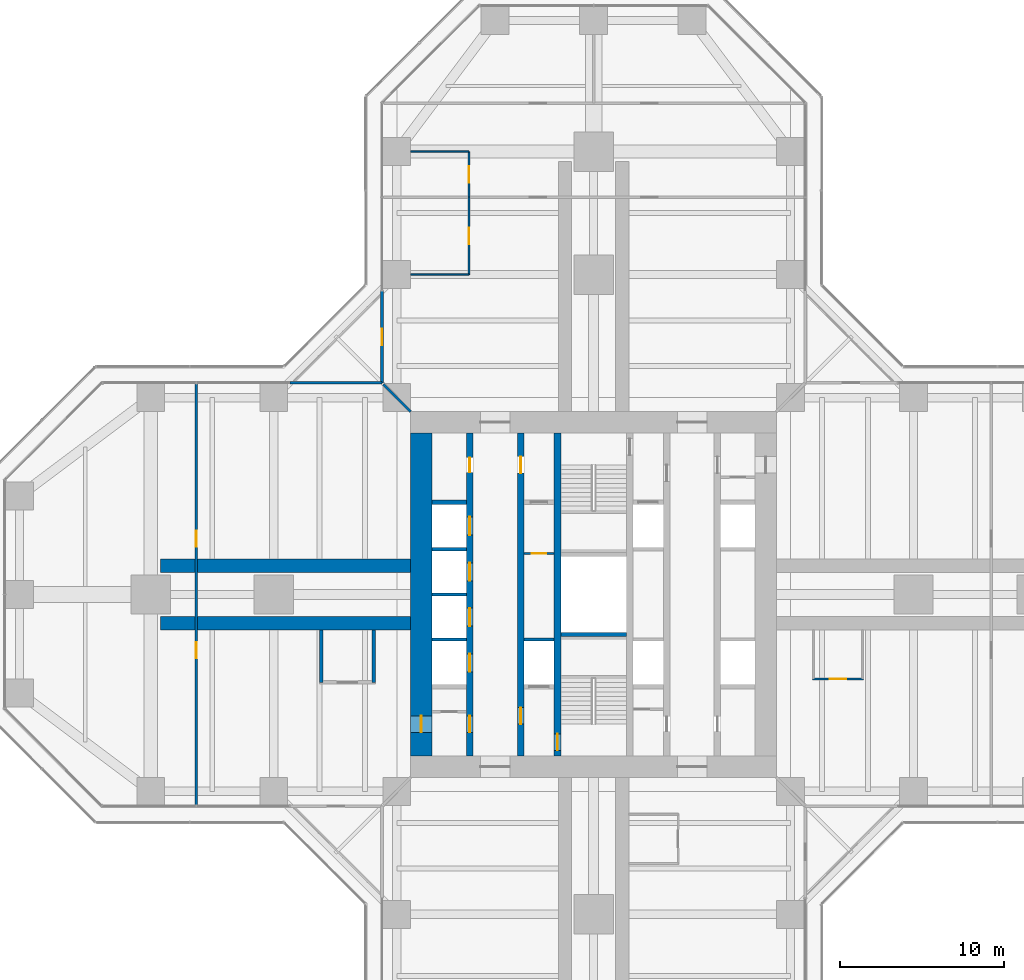
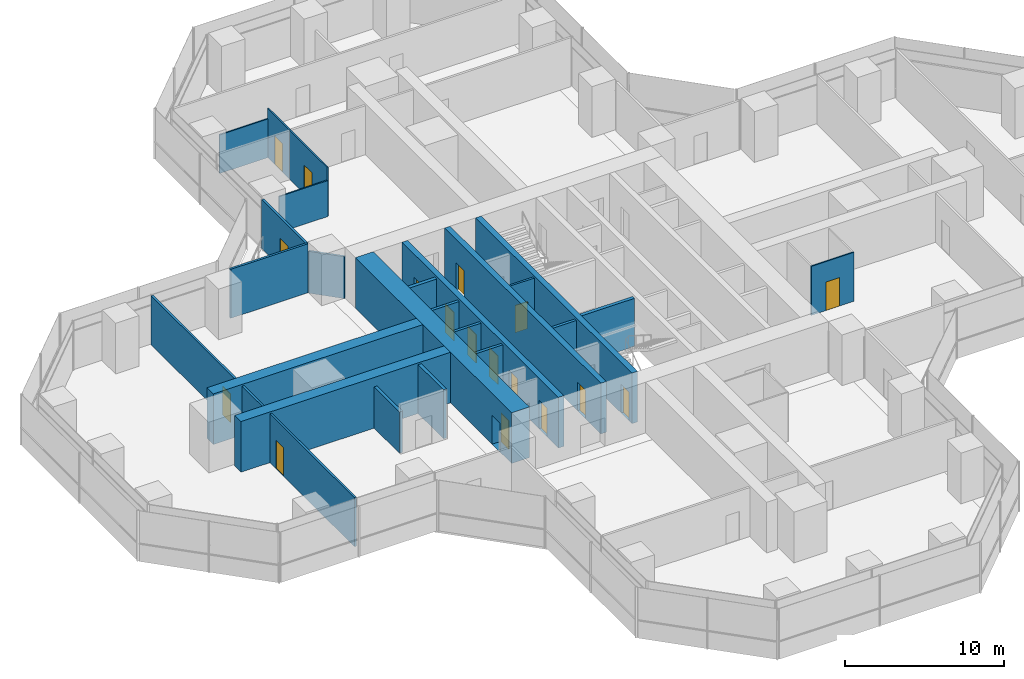
# One storey, part 18 of 22: 24 walls, 17 doors, 17 openings.
"""IFC4 building model written with IfcOpenShell, lengths in metres."""

from ifc_helpers import new_model, si_unit, direction, frame, frame_2d, origin, place, context, subcontext, project, spatial, rectangle, extrude, material, layer, layer_set, type_object, element, fill, save


model = new_model("IFC4")

# Units and contexts
model_context = context("Model", 3, precision=1e-05, world=origin(), true_north=direction((0.0, 1.0)))
body_context = subcontext(model_context, "Body", "Model", "MODEL_VIEW")
ifc_project = project(units=[si_unit("LENGTHUNIT", "METRE"), si_unit("AREAUNIT", "SQUARE_METRE"), si_unit("VOLUMEUNIT", "CUBIC_METRE"), si_unit("PLANEANGLEUNIT", "RADIAN"), si_unit("MASSUNIT", "GRAM", prefix="KILO")], contexts=[model_context])

# Site, building, storey
site_placement = place(None, origin())
site = spatial("IfcSite", under=ifc_project, at=site_placement, CompositionType="ELEMENT")
building_placement = place(site_placement, origin())
building = spatial("IfcBuilding", under=site, at=building_placement, Name="Mizan Broadcast Tower", CompositionType="ELEMENT")
storey_placement = place(building_placement, frame((0.0, 0.0, 105.89990234375)))
storey = spatial("IfcBuildingStorey", under=building, at=storey_placement, Name="L23", CompositionType="ELEMENT", Elevation=105.89990234375)

# Wall, openings, doors
ifc_material_1 = material(Name="Concrete C70/85", Category="concrete")
ifc_layer_1 = layer(ifc_material_1, 0.39990234375)
ifc_layer_set_1 = layer_set([ifc_layer_1], Name="Concrete C70/85")
wall_type_1 = type_object("IfcWallType", Name="CORE INTERNAL WALL 400", PredefinedType="SHEAR", material=ifc_layer_set_1)
wall_1_placement = place(storey_placement, frame((-7.550048828125, -9.85009765625, 0.0), z_axis=(0.0, 0.0, 1.0), x_axis=(0.0, 1.0, 0.0)))
wall_1 = element("IfcWall", 1, at=wall_1_placement, inside=storey, type_object=wall_type_1, Name="Core wall CORE/XW1", PredefinedType="SHEAR", context=body_context, shape_type="SweptSolid", body=[
    extrude(rectangle(XDim=19.7001953125, YDim=0.39990234375, at=frame_2d((9.85009765625, 0.0))), origin(), (0.0, 0.0, 1.0), 3.900146484375),
])
opening_1_placement = place(wall_1_placement, frame((1.449951171875, 0.0, 0.0)))
opening_1 = element("IfcOpeningElement", 2, at=opening_1_placement, cuts=wall_1, Name="Opening D10F", PredefinedType="OPENING", context=body_context, shape_type="SweptSolid", body=[
    extrude(rectangle(XDim=1.0, YDim=2.199951171875, at=frame_2d((0.5, 1.10009765625))), frame((0.0, 0.2099609375, 0.0), z_axis=(0.0, -1.0, 0.0), x_axis=(1.0, 0.0, 0.0)), (0.0, 0.0, 1.0), 0.419921875),
])
opening_2_placement = place(wall_1_placement, frame((17.300048828125, 0.0, 0.0)))
opening_2 = element("IfcOpeningElement", 3, at=opening_2_placement, cuts=wall_1, Name="Opening D09", PredefinedType="OPENING", context=body_context, shape_type="SweptSolid", body=[
    extrude(rectangle(XDim=0.89990234375, YDim=2.10009765625, at=frame_2d((0.449951171875, 1.050048828125))), frame((0.0, 0.2099609375, 0.0), z_axis=(0.0, -1.0, 0.0), x_axis=(1.0, 0.0, 0.0)), (0.0, 0.0, 1.0), 0.419921875),
])
opening_3_placement = place(wall_1_placement, frame((5.125, 0.0, 0.0)))
opening_3 = element("IfcOpeningElement", 4, at=opening_3_placement, cuts=wall_1, Name="Opening LD", PredefinedType="OPENING", context=body_context, shape_type="SweptSolid", body=[
    extrude(rectangle(XDim=1.10009765625, YDim=2.199951171875, at=frame_2d((0.550048828125, 1.10009765625))), frame((0.0, 0.2099609375, 0.0), z_axis=(0.0, -1.0, 0.0), x_axis=(1.0, 0.0, 0.0)), (0.0, 0.0, 1.0), 0.419921875),
])
opening_4_placement = place(wall_1_placement, frame((7.925048828125, 0.0, 0.0)))
opening_4 = element("IfcOpeningElement", 5, at=opening_4_placement, cuts=wall_1, Name="Opening LD", PredefinedType="OPENING", context=body_context, shape_type="SweptSolid", body=[
    extrude(rectangle(XDim=1.10009765625, YDim=2.199951171875, at=frame_2d((0.550048828125, 1.10009765625))), frame((0.0, 0.2099609375, 0.0), z_axis=(0.0, -1.0, 0.0), x_axis=(1.0, 0.0, 0.0)), (0.0, 0.0, 1.0), 0.419921875),
])
opening_5_placement = place(wall_1_placement, frame((10.675048828125, 0.0, 0.0)))
opening_5 = element("IfcOpeningElement", 6, at=opening_5_placement, cuts=wall_1, Name="Opening LD", PredefinedType="OPENING", context=body_context, shape_type="SweptSolid", body=[
    extrude(rectangle(XDim=1.10009765625, YDim=2.199951171875, at=frame_2d((0.550048828125, 1.10009765625))), frame((0.0, 0.2099609375, 0.0), z_axis=(0.0, -1.0, 0.0), x_axis=(1.0, 0.0, 0.0)), (0.0, 0.0, 1.0), 0.419921875),
])
opening_6_placement = place(wall_1_placement, frame((13.47509765625, 0.0, 0.0)))
opening_6 = element("IfcOpeningElement", 7, at=opening_6_placement, cuts=wall_1, Name="Opening LD", PredefinedType="OPENING", context=body_context, shape_type="SweptSolid", body=[
    extrude(rectangle(XDim=1.10009765625, YDim=2.199951171875, at=frame_2d((0.550048828125, 1.10009765625))), frame((0.0, 0.2099609375, 0.0), z_axis=(0.0, -1.0, 0.0), x_axis=(1.0, 0.0, 0.0)), (0.0, 0.0, 1.0), 0.419921875),
])
ifc_material_2 = material(Name="Steel door leaf in steel frame", Category="steel")
door_type_1 = type_object("IfcDoorType", Name="FIRE DOOR 1000 FD90", OperationType="SINGLE_SWING_LEFT", PredefinedType="DOOR", material=ifc_material_2)
door_1_placement = place(opening_1_placement, origin())
door_1 = element("IfcDoor", 8, at=door_1_placement, inside=storey, type_object=door_type_1, Name="West core passage door", OperationType="SINGLE_SWING_LEFT", OverallHeight=2.199951171875, OverallWidth=1.0, PredefinedType="DOOR", context=body_context, shape_type="SweptSolid", body=[
    extrude(rectangle(XDim=1.0, YDim=2.199951171875, at=frame_2d((0.5, 1.10009765625))), frame((0.0, 0.02490234375, 0.0), z_axis=(0.0, -1.0, 0.0), x_axis=(1.0, 0.0, 0.0)), (0.0, 0.0, 1.0), 0.050048828125),
])
fill(opening_1, door_1)
ifc_material_3 = material(Name="Steel door leaf in steel frame", Category="steel")
door_type_2 = type_object("IfcDoorType", Name="LIFT LANDING DOOR 1100", OperationType="SLIDING_TO_LEFT", PredefinedType="DOOR", material=ifc_material_3)
door_2_placement = place(opening_3_placement, origin())
door_2 = element("IfcDoor", 9, at=door_2_placement, inside=storey, type_object=door_type_2, Name="Landing door LA1", OperationType="SLIDING_TO_LEFT", OverallHeight=2.199951171875, OverallWidth=1.10009765625, PredefinedType="DOOR", context=body_context, shape_type="SweptSolid", body=[
    extrude(rectangle(XDim=1.10009765625, YDim=2.199951171875, at=frame_2d((0.550048828125, 1.10009765625))), frame((0.0, 0.02490234375, 0.0), z_axis=(0.0, -1.0, 0.0), x_axis=(1.0, 0.0, 0.0)), (0.0, 0.0, 1.0), 0.050048828125),
])
fill(opening_3, door_2)
door_3_placement = place(opening_4_placement, origin())
door_3 = element("IfcDoor", 10, at=door_3_placement, inside=storey, type_object=door_type_2, Name="Landing door LA2", OperationType="SLIDING_TO_LEFT", OverallHeight=2.199951171875, OverallWidth=1.10009765625, PredefinedType="DOOR", context=body_context, shape_type="SweptSolid", body=[
    extrude(rectangle(XDim=1.10009765625, YDim=2.199951171875, at=frame_2d((0.550048828125, 1.10009765625))), frame((0.0, 0.02490234375, 0.0), z_axis=(0.0, -1.0, 0.0), x_axis=(1.0, 0.0, 0.0)), (0.0, 0.0, 1.0), 0.050048828125),
])
fill(opening_4, door_3)
door_4_placement = place(opening_5_placement, origin())
door_4 = element("IfcDoor", 11, at=door_4_placement, inside=storey, type_object=door_type_2, Name="Landing door LA3", OperationType="SLIDING_TO_LEFT", OverallHeight=2.199951171875, OverallWidth=1.10009765625, PredefinedType="DOOR", context=body_context, shape_type="SweptSolid", body=[
    extrude(rectangle(XDim=1.10009765625, YDim=2.199951171875, at=frame_2d((0.550048828125, 1.10009765625))), frame((0.0, 0.02490234375, 0.0), z_axis=(0.0, -1.0, 0.0), x_axis=(1.0, 0.0, 0.0)), (0.0, 0.0, 1.0), 0.050048828125),
])
fill(opening_5, door_4)
door_5_placement = place(opening_6_placement, origin())
door_5 = element("IfcDoor", 12, at=door_5_placement, inside=storey, type_object=door_type_2, Name="Landing door LA4", OperationType="SLIDING_TO_LEFT", OverallHeight=2.199951171875, OverallWidth=1.10009765625, PredefinedType="DOOR", context=body_context, shape_type="SweptSolid", body=[
    extrude(rectangle(XDim=1.10009765625, YDim=2.199951171875, at=frame_2d((0.550048828125, 1.10009765625))), frame((0.0, 0.02490234375, 0.0), z_axis=(0.0, -1.0, 0.0), x_axis=(1.0, 0.0, 0.0)), (0.0, 0.0, 1.0), 0.050048828125),
])
fill(opening_6, door_5)
ifc_material_4 = material(Name="Timber door leaf in aluminium frame", Category="wood")
door_type_3 = type_object("IfcDoorType", Name="TOILET DOOR 900", OperationType="SINGLE_SWING_LEFT", PredefinedType="DOOR", material=ifc_material_4)
door_6_placement = place(opening_2_placement, origin())
door_6 = element("IfcDoor", 13, at=door_6_placement, inside=storey, type_object=door_type_3, Name="Male WC door", OperationType="SINGLE_SWING_RIGHT", OverallHeight=2.10009765625, OverallWidth=0.89990234375, PredefinedType="DOOR", context=body_context, shape_type="SweptSolid", body=[
    extrude(rectangle(XDim=0.89990234375, YDim=2.10009765625, at=frame_2d((0.449951171875, 1.050048828125))), frame((0.0, 0.02490234375, 0.0), z_axis=(0.0, -1.0, 0.0), x_axis=(1.0, 0.0, 0.0)), (0.0, 0.0, 1.0), 0.050048828125),
])
fill(opening_2, door_6)

wall_2_placement = place(storey_placement, frame((-4.449951171875, -9.85009765625, 0.0), z_axis=(0.0, 0.0, 1.0), x_axis=(0.0, 1.0, 0.0)))
wall_2 = element("IfcWall", 14, at=wall_2_placement, inside=storey, type_object=wall_type_1, Name="Core wall CORE/XWH", PredefinedType="SHEAR", context=body_context, shape_type="SweptSolid", body=[
    extrude(rectangle(XDim=19.7001953125, YDim=0.39990234375, at=frame_2d((9.85009765625, 0.0))), origin(), (0.0, 0.0, 1.0), 3.900146484375),
])
opening_7_placement = place(wall_2_placement, frame((1.949951171875, 0.0, 0.0)))
opening_7 = element("IfcOpeningElement", 15, at=opening_7_placement, cuts=wall_2, Name="Opening D10F", PredefinedType="OPENING", context=body_context, shape_type="SweptSolid", body=[
    extrude(rectangle(XDim=1.0, YDim=2.199951171875, at=frame_2d((0.5, 1.10009765625))), frame((0.0, 0.2099609375, 0.0), z_axis=(0.0, -1.0, 0.0), x_axis=(1.0, 0.0, 0.0)), (0.0, 0.0, 1.0), 0.419921875),
])
opening_8_placement = place(wall_2_placement, frame((17.25, 0.0, 0.0)))
opening_8 = element("IfcOpeningElement", 16, at=opening_8_placement, cuts=wall_2, Name="Opening D10A", PredefinedType="OPENING", context=body_context, shape_type="SweptSolid", body=[
    extrude(rectangle(XDim=1.0, YDim=2.10009765625, at=frame_2d((0.5, 1.050048828125))), frame((0.0, 0.2099609375, 0.0), z_axis=(0.0, -1.0, 0.0), x_axis=(1.0, 0.0, 0.0)), (0.0, 0.0, 1.0), 0.419921875),
])
ifc_material_5 = material(Name="Timber door leaf in aluminium frame", Category="wood")
door_type_4 = type_object("IfcDoorType", Name="ACCESSIBLE WC DOOR 1000", OperationType="SLIDING_TO_LEFT", PredefinedType="DOOR", material=ifc_material_5)
door_7_placement = place(opening_8_placement, origin())
door_7 = element("IfcDoor", 17, at=door_7_placement, inside=storey, type_object=door_type_4, Name="Accessible WC door", OperationType="SLIDING_TO_LEFT", OverallHeight=2.10009765625, OverallWidth=1.0, PredefinedType="DOOR", context=body_context, shape_type="SweptSolid", body=[
    extrude(rectangle(XDim=1.0, YDim=2.10009765625, at=frame_2d((0.5, 1.050048828125))), frame((0.0, 0.02490234375, 0.0), z_axis=(0.0, -1.0, 0.0), x_axis=(1.0, 0.0, 0.0)), (0.0, 0.0, 1.0), 0.050048828125),
])
fill(opening_8, door_7)
door_8_placement = place(opening_7_placement, origin())
door_8 = element("IfcDoor", 18, at=door_8_placement, inside=storey, type_object=door_type_1, Name="Firefighting lobby A door", OperationType="SINGLE_SWING_LEFT", OverallHeight=2.199951171875, OverallWidth=1.0, PredefinedType="DOOR", context=body_context, shape_type="SweptSolid", body=[
    extrude(rectangle(XDim=1.0, YDim=2.199951171875, at=frame_2d((0.5, 1.10009765625))), frame((0.0, 0.02490234375, 0.0), z_axis=(0.0, -1.0, 0.0), x_axis=(1.0, 0.0, 0.0)), (0.0, 0.0, 1.0), 0.050048828125),
])
fill(opening_7, door_8)

# Wall, opening, door
wall_3_placement = place(storey_placement, frame((-2.199951171875, -9.85009765625, 0.0), z_axis=(0.0, 0.0, 1.0), x_axis=(0.0, 1.0, 0.0)))
wall_3 = element("IfcWall", 19, at=wall_3_placement, inside=storey, type_object=wall_type_1, Name="Core wall CORE/XW2", PredefinedType="SHEAR", context=body_context, shape_type="SweptSolid", body=[
    extrude(rectangle(XDim=19.7001953125, YDim=0.39990234375, at=frame_2d((9.85009765625, 0.0))), origin(), (0.0, 0.0, 1.0), 3.900146484375),
])
opening_9_placement = place(wall_3_placement, frame((0.35009765625, 0.0, 0.0)))
opening_9 = element("IfcOpeningElement", 20, at=opening_9_placement, cuts=wall_3, Name="Opening D10S", PredefinedType="OPENING", context=body_context, shape_type="SweptSolid", body=[
    extrude(rectangle(XDim=1.0, YDim=2.199951171875, at=frame_2d((0.5, 1.10009765625))), frame((0.0, 0.2099609375, 0.0), z_axis=(0.0, -1.0, 0.0), x_axis=(1.0, 0.0, 0.0)), (0.0, 0.0, 1.0), 0.419921875),
])
ifc_material_6 = material(Name="Steel door leaf in steel frame", Category="steel")
door_type_5 = type_object("IfcDoorType", Name="STAIR DOOR 1000 FD90S", OperationType="SINGLE_SWING_RIGHT", PredefinedType="DOOR", material=ifc_material_6)
door_9_placement = place(opening_9_placement, origin())
door_9 = element("IfcDoor", 21, at=door_9_placement, inside=storey, type_object=door_type_5, Name="Stair A door", OperationType="SINGLE_SWING_RIGHT", OverallHeight=2.199951171875, OverallWidth=1.0, PredefinedType="DOOR", context=body_context, shape_type="SweptSolid", body=[
    extrude(rectangle(XDim=1.0, YDim=2.199951171875, at=frame_2d((0.5, 1.10009765625))), frame((0.0, 0.02490234375, 0.0), z_axis=(0.0, -1.0, 0.0), x_axis=(1.0, 0.0, 0.0)), (0.0, 0.0, 1.0), 0.050048828125),
])
fill(opening_9, door_9)

ifc_material_7 = material(Name="Concrete blockwork", Category="masonry")
ifc_layer_2 = layer(ifc_material_7, 0.14990234375)
ifc_layer_set_2 = layer_set([ifc_layer_2], Name="Concrete blockwork")
wall_type_2 = type_object("IfcWallType", Name="CORE PARTITION 150", PredefinedType="SOLIDWALL", material=ifc_layer_set_2)
wall_4_placement = place(storey_placement, frame((-4.25, 2.5, 0.0), z_axis=(0.0, 0.0, 1.0), x_axis=(1.0, 0.0, 0.0)))
wall_4 = element("IfcWall", 22, at=wall_4_placement, inside=storey, type_object=wall_type_2, Name="Core partition CORE/XP2", PredefinedType="SOLIDWALL", context=body_context, shape_type="SweptSolid", body=[
    extrude(rectangle(XDim=1.85009765625, YDim=0.14990234375, at=frame_2d((0.925048828125, 0.0))), origin(), (0.0, 0.0, 1.0), 3.77001953125),
])
opening_10_placement = place(wall_4_placement, frame((0.47509765625, 0.0, 0.0)))
opening_10 = element("IfcOpeningElement", 23, at=opening_10_placement, cuts=wall_4, Name="Opening D09F", PredefinedType="OPENING", context=body_context, shape_type="SweptSolid", body=[
    extrude(rectangle(XDim=0.89990234375, YDim=2.10009765625, at=frame_2d((0.449951171875, 1.050048828125))), frame((0.0, 0.0849609375, 0.0), z_axis=(0.0, -1.0, 0.0), x_axis=(1.0, 0.0, 0.0)), (0.0, 0.0, 1.0), 0.169921875),
])
ifc_material_8 = material(Name="Steel door leaf in steel frame", Category="steel")
door_type_6 = type_object("IfcDoorType", Name="CORE ROOM DOOR 900 FD90", OperationType="SINGLE_SWING_LEFT", PredefinedType="DOOR", material=ifc_material_8)
door_10_placement = place(opening_10_placement, origin())
door_10 = element("IfcDoor", 24, at=door_10_placement, inside=storey, type_object=door_type_6, Name="Accessible changing room door", OperationType="SINGLE_SWING_RIGHT", OverallHeight=2.10009765625, OverallWidth=0.89990234375, PredefinedType="DOOR", context=body_context, shape_type="SweptSolid", body=[
    extrude(rectangle(XDim=0.89990234375, YDim=2.10009765625, at=frame_2d((0.449951171875, 1.050048828125))), frame((0.0, 0.02490234375, 0.0), z_axis=(0.0, -1.0, 0.0), x_axis=(1.0, 0.0, 0.0)), (0.0, 0.0, 1.0), 0.050048828125),
])
fill(opening_10, door_10)

ifc_material_9 = material(Name="Concrete C70/85", Category="concrete")
ifc_layer_3 = layer(ifc_material_9, 1.300048828125)
ifc_layer_set_3 = layer_set([ifc_layer_3], Name="Concrete C70/85")
wall_type_3 = type_object("IfcWallType", Name="CORE WALL 1300", PredefinedType="SHEAR", material=ifc_layer_set_3)
wall_5_placement = place(storey_placement, frame((-10.5, 9.85009765625, 0.0), z_axis=(0.0, 0.0, 1.0), x_axis=(0.0, -1.0, 0.0)))
wall_5 = element("IfcWall", 25, at=wall_5_placement, inside=storey, type_object=wall_type_3, Name="Core wall W L23", PredefinedType="SHEAR", context=body_context, shape_type="SweptSolid", body=[
    extrude(rectangle(XDim=19.7001953125, YDim=1.300048828125, at=frame_2d((9.85009765625, 0.0))), origin(), (0.0, 0.0, 1.0), 3.900146484375),
])
opening_11_placement = place(wall_5_placement, frame((17.25, 0.0, 0.0)))
opening_11 = element("IfcOpeningElement", 26, at=opening_11_placement, cuts=wall_5, Name="Opening D10F", PredefinedType="OPENING", context=body_context, shape_type="SweptSolid", body=[
    extrude(rectangle(XDim=1.0, YDim=2.199951171875, at=frame_2d((0.5, 1.10009765625))), frame((0.0, 0.659912109375, 0.0), z_axis=(0.0, -1.0, 0.0), x_axis=(1.0, 0.0, 0.0)), (0.0, 0.0, 1.0), 1.320068359375),
])
door_11_placement = place(opening_11_placement, origin())
door_11 = element("IfcDoor", 27, at=door_11_placement, inside=storey, type_object=door_type_1, Name="West core passage arm door", OperationType="SINGLE_SWING_RIGHT", OverallHeight=2.199951171875, OverallWidth=1.0, PredefinedType="DOOR", context=body_context, shape_type="SweptSolid", body=[
    extrude(rectangle(XDim=1.0, YDim=2.199951171875, at=frame_2d((0.5, 1.10009765625))), frame((0.0, 0.02490234375, 0.0), z_axis=(0.0, -1.0, 0.0), x_axis=(1.0, 0.0, 0.0)), (0.0, 0.0, 1.0), 0.050048828125),
])
fill(opening_11, door_11)

ifc_material_10 = material(Name="Aluminium framed glazed screen", Category="aluminium")
ifc_layer_4 = layer(ifc_material_10, 0.159912109375)
ifc_layer_set_4 = layer_set([ifc_layer_4], Name="Aluminium framed glazed screen")
wall_type_4 = type_object("IfcWallType", Name="GLAZED SCREEN WALL 160", PredefinedType="SOLIDWALL", material=ifc_layer_set_4)
wall_6_placement = place(storey_placement, frame((-12.89990234375, 18.5, 0.0), z_axis=(0.0, 0.0, 1.0), x_axis=(0.0, -1.0, 0.0)))
wall_6 = element("IfcWall", 28, at=wall_6_placement, inside=storey, type_object=wall_type_4, Name="Winter garden screen L23 N", PredefinedType="SOLIDWALL", context=body_context, shape_type="SweptSolid", body=[
    extrude(rectangle(XDim=5.60009765625, YDim=0.159912109375, at=frame_2d((2.800048828125, 0.0))), origin(), (0.0, 0.0, 1.0), 3.77001953125),
])
opening_12_placement = place(wall_6_placement, frame((2.300048828125, 0.0, 0.0)))
opening_12 = element("IfcOpeningElement", 29, at=opening_12_placement, cuts=wall_6, Name="Opening WGD", PredefinedType="OPENING", context=body_context, shape_type="SweptSolid", body=[
    extrude(rectangle(XDim=1.0, YDim=2.199951171875, at=frame_2d((0.5, 1.10009765625))), frame((0.0, 0.08984375, 0.0), z_axis=(0.0, -1.0, 0.0), x_axis=(1.0, 0.0, 0.0)), (0.0, 0.0, 1.0), 0.179931640625),
])
ifc_material_11 = material(Name="Aluminium framed glazed door", Category="aluminium")
door_type_7 = type_object("IfcDoorType", Name="WINTER GARDEN DOOR 1000 GLAZED", OperationType="SINGLE_SWING_LEFT", PredefinedType="DOOR", material=ifc_material_11)
door_12_placement = place(opening_12_placement, origin())
door_12 = element("IfcDoor", 30, at=door_12_placement, inside=storey, type_object=door_type_7, Name="Winter garden door L23 N", OperationType="SINGLE_SWING_RIGHT", OverallHeight=2.199951171875, OverallWidth=1.0, PredefinedType="DOOR", context=body_context, shape_type="SweptSolid", body=[
    extrude(rectangle(XDim=1.0, YDim=2.199951171875, at=frame_2d((0.5, 1.10009765625))), frame((0.0, 0.02490234375, 0.0), z_axis=(0.0, -1.0, 0.0), x_axis=(1.0, 0.0, 0.0)), (0.0, 0.0, 1.0), 0.050048828125),
])
fill(opening_12, door_12)

# Walls
wall_7_placement = place(storey_placement, frame((-12.89990234375, 12.89990234375, 0.0), z_axis=(0.0, 0.0, 1.0), x_axis=(-1.0, 0.0, 0.0)))
element("IfcWall", 31, at=wall_7_placement, inside=storey, type_object=wall_type_4, Name="Winter garden screen L23 W", PredefinedType="SOLIDWALL", context=body_context, shape_type="SweptSolid", body=[
    extrude(rectangle(XDim=5.60009765625, YDim=0.159912109375, at=frame_2d((2.800048828125, 0.0))), origin(), (0.0, 0.0, 1.0), 3.77001953125),
])
ifc_material_12 = material(Name="Concrete blockwork", Category="masonry")
ifc_layer_5 = layer(ifc_material_12, 0.199951171875)
ifc_layer_set_5 = layer_set([ifc_layer_5], Name="Concrete blockwork")
wall_type_5 = type_object("IfcWallType", Name="LIFT SHAFT WALL 200", PredefinedType="SOLIDWALL", material=ifc_layer_set_5)
wall_8_placement = place(storey_placement, frame((-9.85009765625, -2.75, 0.0), z_axis=(0.0, 0.0, 1.0), x_axis=(1.0, 0.0, 0.0)))
element("IfcWall", 32, at=wall_8_placement, inside=storey, type_object=wall_type_5, Name="Lift shaft wall CORE/SW1-1", PredefinedType="SOLIDWALL", context=body_context, shape_type="SweptSolid", body=[
    extrude(rectangle(XDim=2.10009765625, YDim=0.199951171875, at=frame_2d((1.050048828125, 0.0))), origin(), (0.0, 0.0, 1.0), 3.7001953125),
])
wall_9_placement = place(storey_placement, frame((-4.25, -2.75, 0.0), z_axis=(0.0, 0.0, 1.0), x_axis=(1.0, 0.0, 0.0)))
element("IfcWall", 33, at=wall_9_placement, inside=storey, type_object=wall_type_5, Name="Lift shaft wall CORE/SW2-1", PredefinedType="SOLIDWALL", context=body_context, shape_type="SweptSolid", body=[
    extrude(rectangle(XDim=1.85009765625, YDim=0.199951171875, at=frame_2d((0.925048828125, 0.0))), origin(), (0.0, 0.0, 1.0), 3.7001953125),
])
for number, where, z_axis, x_axis, name in (
    (34, (-9.85009765625, 0.0, 0.0), (0.0, 0.0, 1.0), (1.0, 0.0, 0.0), "Lift shaft wall CORE/SW1-2"),
    (35, (-9.85009765625, 2.75, 0.0), (0.0, 0.0, 1.0), (1.0, 0.0, 0.0), "Lift shaft wall CORE/SW1-3"),
):
    element("IfcWall", number, at=place(storey_placement, frame(where, z_axis=z_axis, x_axis=x_axis)), inside=storey, type_object=wall_type_5, Name=name, PredefinedType="SOLIDWALL", context=body_context, shape_type="SweptSolid", body=[
        extrude(rectangle(XDim=2.10009765625, YDim=0.199951171875, at=frame_2d((1.050048828125, 0.0))), origin(), (0.0, 0.0, 1.0), 3.7001953125),
    ])
ifc_material_13 = material(Name="Concrete blockwork", Category="masonry")
ifc_layer_6 = layer(ifc_material_13, 0.25)
ifc_layer_set_6 = layer_set([ifc_layer_6], Name="Concrete blockwork")
wall_type_6 = type_object("IfcWallType", Name="LOBBY ENCLOSURE WALL 250", PredefinedType="SOLIDWALL", material=ifc_layer_set_6)
wall_10_placement = place(storey_placement, frame((-9.85009765625, 5.625, 0.0), z_axis=(0.0, 0.0, 1.0), x_axis=(1.0, 0.0, 0.0)))
element("IfcWall", 36, at=wall_10_placement, inside=storey, type_object=wall_type_6, Name="Lobby enclosure wall CORE/BW1N", PredefinedType="SOLIDWALL", context=body_context, shape_type="SweptSolid", body=[
    extrude(rectangle(XDim=2.10009765625, YDim=0.25, at=frame_2d((1.050048828125, 0.0))), origin(), (0.0, 0.0, 1.0), 3.7001953125),
])
wall_11_placement = place(storey_placement, frame((-2.0, -2.449951171875, 0.0), z_axis=(0.0, 0.0, 1.0), x_axis=(1.0, 0.0, 0.0)))
element("IfcWall", 37, at=wall_11_placement, inside=storey, type_object=wall_type_6, Name="Lobby enclosure wall CORE/STA", PredefinedType="SOLIDWALL", context=body_context, shape_type="SweptSolid", body=[
    extrude(rectangle(XDim=4.0, YDim=0.25, at=frame_2d((2.0, 0.0))), origin(), (0.0, 0.0, 1.0), 3.7001953125),
])

# Wall, openings, doors
ifc_material_14 = material(Name="Gypsum board on steel studs", Category="steel")
ifc_layer_7 = layer(ifc_material_14, 0.14990234375)
ifc_layer_set_7 = layer_set([ifc_layer_7], Name="Gypsum board on steel studs")
wall_type_7 = type_object("IfcWallType", Name="PARTITION 150", PredefinedType="PARTITIONING", material=ifc_layer_set_7)
wall_12_placement = place(storey_placement, frame((-24.22900390625, 12.820068359375, 0.0), z_axis=(0.0, 0.0, 1.0), x_axis=(0.0, -1.0, 0.0)))
wall_12 = element("IfcWall", 38, at=wall_12_placement, inside=storey, type_object=wall_type_7, Name="Partition PT/WX1", PredefinedType="PARTITIONING", context=body_context, shape_type="SweptSolid", body=[
    extrude(rectangle(XDim=25.64013671875, YDim=0.14990234375, at=frame_2d((12.820068359375, 0.0))), origin(), (0.0, 0.0, 1.0), 3.77001953125),
])
opening_13_placement = place(wall_12_placement, frame((15.719970703125, 0.0, 0.0)))
opening_13 = element("IfcOpeningElement", 39, at=opening_13_placement, cuts=wall_12, Name="Opening D10", PredefinedType="OPENING", context=body_context, shape_type="SweptSolid", body=[
    extrude(rectangle(XDim=1.0, YDim=2.199951171875, at=frame_2d((0.5, 1.10009765625))), frame((0.0, 0.0849609375, 0.0), z_axis=(0.0, -1.0, 0.0), x_axis=(1.0, 0.0, 0.0)), (0.0, 0.0, 1.0), 0.169921875),
])
opening_14_placement = place(wall_12_placement, frame((8.919921875, 0.0, 0.0)))
opening_14 = element("IfcOpeningElement", 40, at=opening_14_placement, cuts=wall_12, Name="Opening D10", PredefinedType="OPENING", context=body_context, shape_type="SweptSolid", body=[
    extrude(rectangle(XDim=1.0, YDim=2.199951171875, at=frame_2d((0.5, 1.10009765625))), frame((0.0, 0.0849609375, 0.0), z_axis=(0.0, -1.0, 0.0), x_axis=(1.0, 0.0, 0.0)), (0.0, 0.0, 1.0), 0.169921875),
])
ifc_material_15 = material(Name="Timber door leaf in aluminium frame", Category="wood")
door_type_8 = type_object("IfcDoorType", Name="ROOM DOOR 1000", OperationType="SINGLE_SWING_LEFT", PredefinedType="DOOR", material=ifc_material_15)
door_13_placement = place(opening_13_placement, origin())
door_13 = element("IfcDoor", 41, at=door_13_placement, inside=storey, type_object=door_type_8, Name="Breakout area door", OperationType="SINGLE_SWING_RIGHT", OverallHeight=2.199951171875, OverallWidth=1.0, PredefinedType="DOOR", context=body_context, shape_type="SweptSolid", body=[
    extrude(rectangle(XDim=1.0, YDim=2.199951171875, at=frame_2d((0.5, 1.10009765625))), frame((0.0, 0.02490234375, 0.0), z_axis=(0.0, -1.0, 0.0), x_axis=(1.0, 0.0, 0.0)), (0.0, 0.0, 1.0), 0.050048828125),
])
fill(opening_13, door_13)
door_14_placement = place(opening_14_placement, origin())
door_14 = element("IfcDoor", 42, at=door_14_placement, inside=storey, type_object=door_type_8, Name="Breakout area door", OperationType="SINGLE_SWING_LEFT", OverallHeight=2.199951171875, OverallWidth=1.0, PredefinedType="DOOR", context=body_context, shape_type="SweptSolid", body=[
    extrude(rectangle(XDim=1.0, YDim=2.199951171875, at=frame_2d((0.5, 1.10009765625))), frame((0.0, 0.02490234375, 0.0), z_axis=(0.0, -1.0, 0.0), x_axis=(1.0, 0.0, 0.0)), (0.0, 0.0, 1.0), 0.050048828125),
])
fill(opening_14, door_14)

# Walls
wall_13_placement = place(storey_placement, frame((-11.14990234375, 11.14990234375, 0.0), z_axis=(0.0, 0.0, 1.0), x_axis=(-0.707106781187, 0.707106781187, 0.0)))
element("IfcWall", 43, at=wall_13_placement, inside=storey, type_object=wall_type_7, Name="Partition PT/DGWN", PredefinedType="PARTITIONING", context=body_context, shape_type="SweptSolid", body=[
    extrude(rectangle(XDim=2.362060546875, YDim=0.14990234375, at=frame_2d((1.18115234375, 0.0))), origin(), (0.0, 0.0, 1.0), 3.22021484375),
])
ifc_material_16 = material(Name="Twin steel stud acoustic partition, four layers of gypsum board", Category="steel")
ifc_layer_8 = layer(ifc_material_16, 0.22509765625)
ifc_layer_set_8 = layer_set([ifc_layer_8], Name="Twin steel stud acoustic partition, four layers of gypsum board")
wall_type_8 = type_object("IfcWallType", Name="PARTITION ACOUSTIC 225", PredefinedType="PARTITIONING", material=ifc_layer_set_8)
wall_14_placement = place(storey_placement, frame((-13.39990234375, -2.14990234375, 0.0), z_axis=(0.0, 0.0, 1.0), x_axis=(0.0, -1.0, 0.0)))
element("IfcWall", 44, at=wall_14_placement, inside=storey, type_object=wall_type_8, Name="Acoustic partition PT/WKP0a", PredefinedType="PARTITIONING", context=body_context, shape_type="SweptSolid", body=[
    extrude(rectangle(XDim=3.2001953125, YDim=0.22509765625, at=frame_2d((1.60009765625, 0.0))), origin(), (0.0, 0.0, 1.0), 3.77001953125),
])
wall_15_placement = place(storey_placement, frame((-16.60009765625, -2.14990234375, 0.0), z_axis=(0.0, 0.0, 1.0), x_axis=(0.0, -1.0, 0.0)))
element("IfcWall", 45, at=wall_15_placement, inside=storey, type_object=wall_type_8, Name="Acoustic partition PT/WKP0b", PredefinedType="PARTITIONING", context=body_context, shape_type="SweptSolid", body=[
    extrude(rectangle(XDim=3.2001953125, YDim=0.22509765625, at=frame_2d((1.60009765625, 0.0))), origin(), (0.0, 0.0, 1.0), 3.18017578125),
])

# Wall, opening, door
ifc_material_17 = material(Name="Glazed aluminium partition on aluminium track", Category="aluminium")
ifc_layer_9 = layer(ifc_material_17, 0.10009765625)
ifc_layer_set_9 = layer_set([ifc_layer_9], Name="Glazed aluminium partition on aluminium track")
wall_type_9 = type_object("IfcWallType", Name="PARTITION GLAZED OFFICE FRONT 100", PredefinedType="PARTITIONING", material=ifc_layer_set_9)
wall_16_placement = place(storey_placement, frame((13.35009765625, -5.14990234375, 0.0), z_axis=(0.0, 0.0, 1.0), x_axis=(1.0, 0.0, 0.0)))
wall_16 = element("IfcWall", 46, at=wall_16_placement, inside=storey, type_object=wall_type_9, Name="Glazed office front PT/EKN0f", PredefinedType="PARTITIONING", context=body_context, shape_type="SweptSolid", body=[
    extrude(rectangle(XDim=3.099853515625, YDim=0.10009765625, at=frame_2d((1.5498046875, 0.0))), origin(), (0.0, 0.0, 1.0), 3.77001953125),
])
opening_15_placement = place(wall_16_placement, frame((1.050048828125, 0.0, 0.0)))
opening_15 = element("IfcOpeningElement", 47, at=opening_15_placement, cuts=wall_16, Name="Opening D10O", PredefinedType="OPENING", context=body_context, shape_type="SweptSolid", body=[
    extrude(rectangle(XDim=1.0, YDim=2.199951171875, at=frame_2d((0.5, 1.10009765625))), frame((0.0, 0.06005859375, 0.0), z_axis=(0.0, -1.0, 0.0), x_axis=(1.0, 0.0, 0.0)), (0.0, 0.0, 1.0), 0.1201171875),
])
ifc_material_18 = material(Name="Timber door leaf in aluminium frame", Category="wood")
door_type_9 = type_object("IfcDoorType", Name="OFFICE DOOR 1000 GLAZED", OperationType="SINGLE_SWING_LEFT", PredefinedType="DOOR", material=ifc_material_18)
door_15_placement = place(opening_15_placement, origin())
door_15 = element("IfcDoor", 48, at=door_15_placement, inside=storey, type_object=door_type_9, Name="Training store door", OperationType="SINGLE_SWING_LEFT", OverallHeight=2.199951171875, OverallWidth=1.0, PredefinedType="DOOR", context=body_context, shape_type="SweptSolid", body=[
    extrude(rectangle(XDim=1.0, YDim=2.199951171875, at=frame_2d((0.5, 1.10009765625))), frame((0.0, 0.02490234375, 0.0), z_axis=(0.0, -1.0, 0.0), x_axis=(1.0, 0.0, 0.0)), (0.0, 0.0, 1.0), 0.050048828125),
])
fill(opening_15, door_15)

wall_17_placement = place(storey_placement, frame((-7.60009765625, 19.5, 0.0), z_axis=(0.0, 0.0, 1.0), x_axis=(0.0, 1.0, 0.0)))
wall_17 = element("IfcWall", 49, at=wall_17_placement, inside=storey, type_object=wall_type_9, Name="Glazed office front PT/NCP0", PredefinedType="PARTITIONING", context=body_context, shape_type="SweptSolid", body=[
    extrude(rectangle(XDim=4.72900390625, YDim=0.10009765625, at=frame_2d((2.364501953125, 0.0))), origin(), (0.0, 0.0, 1.0), 3.77001953125),
])
opening_16_placement = place(wall_17_placement, frame((1.864501953125, 0.0, 0.0)))
opening_16 = element("IfcOpeningElement", 50, at=opening_16_placement, cuts=wall_17, Name="Opening D10O", PredefinedType="OPENING", context=body_context, shape_type="SweptSolid", body=[
    extrude(rectangle(XDim=1.0, YDim=2.199951171875, at=frame_2d((0.5, 1.10009765625))), frame((0.0, 0.06005859375, 0.0), z_axis=(0.0, -1.0, 0.0), x_axis=(1.0, 0.0, 0.0)), (0.0, 0.0, 1.0), 0.1201171875),
])
door_16_placement = place(opening_16_placement, origin())
door_16 = element("IfcDoor", 51, at=door_16_placement, inside=storey, type_object=door_type_9, Name="Tutor's office door", OperationType="SINGLE_SWING_LEFT", OverallHeight=2.199951171875, OverallWidth=1.0, PredefinedType="DOOR", context=body_context, shape_type="SweptSolid", body=[
    extrude(rectangle(XDim=1.0, YDim=2.199951171875, at=frame_2d((0.5, 1.10009765625))), frame((0.0, 0.02490234375, 0.0), z_axis=(0.0, -1.0, 0.0), x_axis=(1.0, 0.0, 0.0)), (0.0, 0.0, 1.0), 0.050048828125),
])
fill(opening_16, door_16)

wall_18_placement = place(storey_placement, frame((-7.60009765625, 24.22900390625, 0.0), z_axis=(0.0, 0.0, 1.0), x_axis=(0.0, 1.0, 0.0)))
wall_18 = element("IfcWall", 52, at=wall_18_placement, inside=storey, type_object=wall_type_9, Name="Glazed office front PT/NCP1", PredefinedType="PARTITIONING", context=body_context, shape_type="SweptSolid", body=[
    extrude(rectangle(XDim=2.77099609375, YDim=0.10009765625, at=frame_2d((1.385498046875, 0.0))), origin(), (0.0, 0.0, 1.0), 3.77001953125),
])
opening_17_placement = place(wall_18_placement, frame((0.885498046875, 0.0, 0.0)))
opening_17 = element("IfcOpeningElement", 53, at=opening_17_placement, cuts=wall_18, Name="Opening D10O", PredefinedType="OPENING", context=body_context, shape_type="SweptSolid", body=[
    extrude(rectangle(XDim=1.0, YDim=2.199951171875, at=frame_2d((0.5, 1.10009765625))), frame((0.0, 0.06005859375, 0.0), z_axis=(0.0, -1.0, 0.0), x_axis=(1.0, 0.0, 0.0)), (0.0, 0.0, 1.0), 0.1201171875),
])
door_17_placement = place(opening_17_placement, origin())
door_17 = element("IfcDoor", 54, at=door_17_placement, inside=storey, type_object=door_type_9, Name="Tutor's office door", OperationType="SINGLE_SWING_LEFT", OverallHeight=2.199951171875, OverallWidth=1.0, PredefinedType="DOOR", context=body_context, shape_type="SweptSolid", body=[
    extrude(rectangle(XDim=1.0, YDim=2.199951171875, at=frame_2d((0.5, 1.10009765625))), frame((0.0, 0.02490234375, 0.0), z_axis=(0.0, -1.0, 0.0), x_axis=(1.0, 0.0, 0.0)), (0.0, 0.0, 1.0), 0.050048828125),
])
fill(opening_17, door_17)

# Walls
wall_19_placement = place(storey_placement, frame((-7.60009765625, 19.5, 0.0), z_axis=(0.0, 0.0, 1.0), x_axis=(-1.0, 0.0, 0.0)))
element("IfcWall", 55, at=wall_19_placement, inside=storey, type_object=wall_type_9, Name="Glazed office front PT/NQP1950", PredefinedType="PARTITIONING", context=body_context, shape_type="SweptSolid", body=[
    extrude(rectangle(XDim=3.5498046875, YDim=0.10009765625, at=frame_2d((1.77490234375, 0.0))), origin(), (0.0, 0.0, 1.0), 2.77001953125),
])
wall_20_placement = place(storey_placement, frame((-7.60009765625, 27.0, 0.0), z_axis=(0.0, 0.0, 1.0), x_axis=(-1.0, 0.0, 0.0)))
element("IfcWall", 56, at=wall_20_placement, inside=storey, type_object=wall_type_9, Name="Glazed office front PT/NQP2700", PredefinedType="PARTITIONING", context=body_context, shape_type="SweptSolid", body=[
    extrude(rectangle(XDim=3.5498046875, YDim=0.10009765625, at=frame_2d((1.77490234375, 0.0))), origin(), (0.0, 0.0, 1.0), 2.97021484375),
])
ifc_material_19 = material(Name="Concrete C70/85", Category="concrete")
ifc_layer_10 = layer(ifc_material_19, 0.800048828125)
ifc_layer_set_10 = layer_set([ifc_layer_10], Name="Concrete C70/85")
wall_type_10 = type_object("IfcWallType", Name="SPINE WALL 800", PredefinedType="SHEAR", material=ifc_layer_set_10)
for number, where, z_axis, x_axis, name in (
    (57, (-11.14990234375, 1.75, 0.0), (0.0, 0.0, 1.0), (-1.0, 0.0, 0.0), "Spine wall WR L23"),
    (58, (-11.14990234375, -1.75, 0.0), (0.0, 0.0, 1.0), (-1.0, 0.0, 0.0), "Spine wall WL L23"),
):
    element("IfcWall", number, at=place(storey_placement, frame(where, z_axis=z_axis, x_axis=x_axis)), inside=storey, type_object=wall_type_10, Name=name, PredefinedType="SHEAR", context=body_context, shape_type="SweptSolid", body=[
        extrude(rectangle(XDim=15.25, YDim=0.800048828125, at=frame_2d((7.625, 0.0))), origin(), (0.0, 0.0, 1.0), 3.900146484375),
    ])

save(model, "model.ifc")
